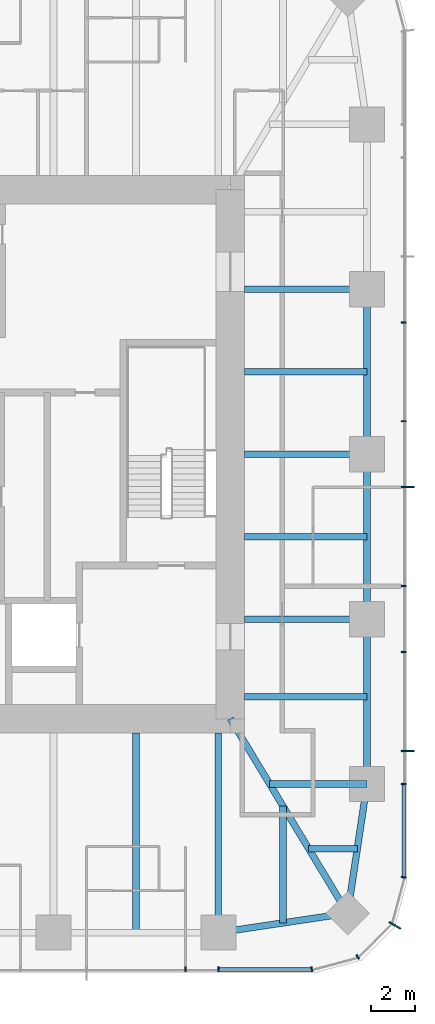
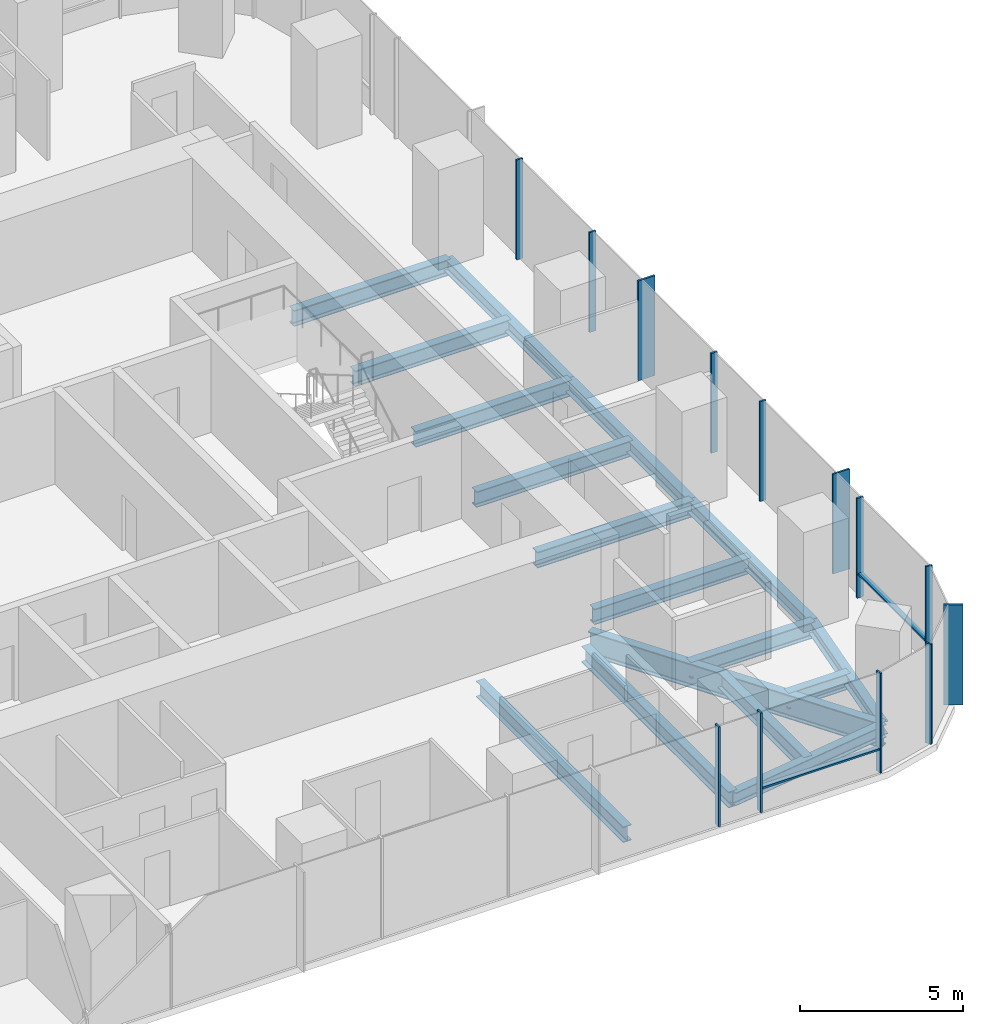
# One storey, part 4 of 12: 17 beams, 15 members, 3 elements without a shape of their own.
"""IFC4 building model written with IfcOpenShell, lengths in metres."""

from ifc_helpers import new_model, si_unit, direction, frame, origin, origin_2d, place, context, subcontext, project, spatial, rectangle, i_section, extrude, material, material_profile, profile_set, type_object, element, aggregate, save


model = new_model("IFC4")

# Units and contexts
model_context = context("Model", 3, precision=1e-05, world=origin(), true_north=direction((0.0, 1.0)))
body_context = subcontext(model_context, "Body", "Model", "MODEL_VIEW")
ifc_project = project(units=[si_unit("LENGTHUNIT", "METRE"), si_unit("AREAUNIT", "SQUARE_METRE"), si_unit("VOLUMEUNIT", "CUBIC_METRE"), si_unit("PLANEANGLEUNIT", "RADIAN"), si_unit("MASSUNIT", "GRAM", prefix="KILO")], contexts=[model_context])

# Site, building, storey
site_placement = place(None, origin())
site = spatial("IfcSite", under=ifc_project, at=site_placement, CompositionType="ELEMENT")
building_placement = place(site_placement, origin())
building = spatial("IfcBuilding", under=site, at=building_placement, Name="Khuree Lantern Residences", CompositionType="ELEMENT")
storey_placement = place(building_placement, frame((0.0, 0.0, 315.75)))
storey = spatial("IfcBuildingStorey", under=building, at=storey_placement, Name="L79", CompositionType="ELEMENT", Elevation=315.75)

# Beams
ifc_material_1 = material(Name="Steel S355", Category="steel")
ifc_material_profile_1 = material_profile(ifc_material_1, i_section(OverallWidth=0.300048828125, OverallDepth=0.590087890625, WebThickness=0.012939453125, FlangeThickness=0.02490234375, FilletRadius=0.027099609375, at=origin_2d()), Name="HE 600 A")
ifc_profile_set_1 = profile_set([ifc_material_profile_1], Name="Steel S355")
beam_type_1 = type_object("IfcBeamType", Name="B-43 SECONDARY BEAM HE 600 A", PredefinedType="BEAM", material=ifc_profile_set_1)
for number, where, z_axis, x_axis, name in (
    (1, (21.699951171875, 3.739990234375, -0.544921875), (-1.0, 0.0, 0.0), (0.0, -1.0, 0.0), "Secondary beam E3"),
    (2, (21.699951171875, -3.739990234375, -0.544921875), (-1.0, 0.0, 0.0), (0.0, -1.0, 0.0), "Secondary beam E4"),
    (3, (21.699951171875, -11.0, -0.544921875), (-1.0, 0.0, 0.0), (0.0, -1.0, 0.0), "Secondary beam E5"),
):
    element("IfcBeam", number, at=place(storey_placement, frame(where, z_axis=z_axis, x_axis=x_axis)), inside=storey, type_object=beam_type_1, Name=name, PredefinedType="BEAM", context=body_context, shape_type="SweptSolid", body=[
        extrude(i_section(OverallWidth=0.300048828125, OverallDepth=0.590087890625, WebThickness=0.012939453125, FlangeThickness=0.02490234375, FilletRadius=0.027099609375, at=origin_2d()), origin(), (0.0, 0.0, 1.0), 5.550048828125),
    ])
beam_1_placement = place(storey_placement, frame((21.2607421875, -17.890625, -0.544921875), z_axis=(-1.0, 0.0, 0.0), x_axis=(0.0, -1.0, 0.0)))
element("IfcBeam", 4, at=beam_1_placement, inside=storey, type_object=beam_type_1, Name="Secondary beam E6", PredefinedType="BEAM", context=body_context, shape_type="SweptSolid", body=[
    extrude(i_section(OverallWidth=0.300048828125, OverallDepth=0.590087890625, WebThickness=0.012939453125, FlangeThickness=0.02490234375, FilletRadius=0.027099609375, at=origin_2d()), origin(), (0.0, 0.0, 1.0), 2.207275390625),
])
beam_2_placement = place(storey_placement, frame((17.890625, -21.2607421875, -0.544921875), z_axis=(0.0, 1.0, 0.0), x_axis=(-1.0, 0.0, 0.0)))
element("IfcBeam", 5, at=beam_2_placement, inside=storey, type_object=beam_type_1, Name="Secondary beam S1", PredefinedType="BEAM", context=body_context, shape_type="SweptSolid", body=[
    extrude(i_section(OverallWidth=0.300048828125, OverallDepth=0.590087890625, WebThickness=0.012939453125, FlangeThickness=0.02490234375, FilletRadius=0.027099609375, at=origin_2d()), origin(), (0.0, 0.0, 1.0), 5.297607421875),
])
beam_3_placement = place(storey_placement, frame((11.219970703125, -21.699951171875, -0.544921875), z_axis=(0.0, 1.0, 0.0), x_axis=(-1.0, 0.0, 0.0)))
element("IfcBeam", 6, at=beam_3_placement, inside=storey, type_object=beam_type_1, Name="Secondary beam S2", PredefinedType="BEAM", context=body_context, shape_type="SweptSolid", body=[
    extrude(i_section(OverallWidth=0.300048828125, OverallDepth=0.590087890625, WebThickness=0.012939453125, FlangeThickness=0.02490234375, FilletRadius=0.027099609375, at=origin_2d()), origin(), (0.0, 0.0, 1.0), 9.050048828125),
])
ifc_material_profile_2 = material_profile(ifc_material_1, i_section(OverallWidth=0.300048828125, OverallDepth=0.489990234375, WebThickness=0.011962890625, FlangeThickness=0.02294921875, FilletRadius=0.027099609375, at=origin_2d()), Name="HE 500 A")
ifc_profile_set_2 = profile_set([ifc_material_profile_2], Name="Steel S355")
beam_type_2 = type_object("IfcBeamType", Name="E-43 SPANDREL BEAM HE 500 A", PredefinedType="SPANDREL", material=ifc_profile_set_2)
for number, where, z_axis, x_axis, name in (
    (7, (21.699951171875, 7.47998046875, -0.4951171875), (0.0, -1.0, 0.0), (1.0, 0.0, 0.0), "Spandrel beam E3"),
    (8, (21.699951171875, 0.0, -0.4951171875), (0.0, -1.0, 0.0), (1.0, 0.0, 0.0), "Spandrel beam E4"),
    (9, (21.699951171875, -7.47998046875, -0.4951171875), (0.0, -1.0, 0.0), (1.0, 0.0, 0.0), "Spandrel beam E5"),
):
    element("IfcBeam", number, at=place(storey_placement, frame(where, z_axis=z_axis, x_axis=x_axis)), inside=storey, type_object=beam_type_2, Name=name, PredefinedType="SPANDREL", context=body_context, shape_type="SweptSolid", body=[
        extrude(i_section(OverallWidth=0.300048828125, OverallDepth=0.489990234375, WebThickness=0.011962890625, FlangeThickness=0.02294921875, FilletRadius=0.027099609375, at=origin_2d()), origin(), (0.0, 0.0, 1.0), 7.47998046875),
    ])
for number, where, z_axis, x_axis, name in (
    (10, (21.699951171875, -14.9599609375, -0.4951171875), (-0.148251822985, -0.988949643299, 0.0), (0.988949643299, -0.148251822985, 0.0), "Spandrel beam E6"),
    (11, (20.8212890625, -20.8212890625, -0.4951171875), (-0.988949643299, -0.148251822985, 0.0), (0.148251822985, -0.988949643299, 0.0), "Spandrel beam S1"),
):
    element("IfcBeam", number, at=place(storey_placement, frame(where, z_axis=z_axis, x_axis=x_axis)), inside=storey, type_object=beam_type_2, Name=name, PredefinedType="SPANDREL", context=body_context, shape_type="SweptSolid", body=[
        extrude(i_section(OverallWidth=0.300048828125, OverallDepth=0.489990234375, WebThickness=0.011962890625, FlangeThickness=0.02294921875, FilletRadius=0.027099609375, at=origin_2d()), origin(), (0.0, 0.0, 1.0), 5.9267578125),
    ])

# Curtain wall, member
ifc_material_2 = material(Name="Bronze anodised aluminium", Category="aluminium")
curtain_wall_type_1 = type_object("IfcCurtainWallType", Name="CW-T2 TOWER CORNER CURTAIN WALL", PredefinedType="USERDEFINED", material=ifc_material_2)
curtain_wall_1_placement = place(storey_placement, origin())
curtain_wall_1 = element("IfcCurtainWall", 12, at=curtain_wall_1_placement, inside=storey, type_object=curtain_wall_type_1, Name="L79 SOUTH-EAST CORNER CURTAIN WALL", ObjectType="Faceted corner curtain wall", PredefinedType="USERDEFINED")
ifc_material_profile_3 = material_profile(ifc_material_2, rectangle(XDim=0.06494140625, YDim=0.60009765625, at=origin_2d()), Name="F1 65X600")
ifc_profile_set_3 = profile_set([ifc_material_profile_3], Name="Bronze anodised aluminium")
member_type_1 = type_object("IfcMemberType", Name="F1 BRONZE FIN MULLION TOWER 65X600", PredefinedType="MULLION", material=ifc_profile_set_3)
member_1_placement = place(storey_placement, frame((22.96728515625, -21.375, 0.0), z_axis=(0.0, 0.0, 1.0), x_axis=(0.49999994149, 0.866025437565, 0.0)))
member_1 = element("IfcMember", 13, at=member_1_placement, type_object=member_type_1, Name="L79 SOUTH-EAST CORNER FIN MULLION 3", PredefinedType="MULLION", context=body_context, shape_type="SweptSolid", body=[
    extrude(rectangle(XDim=0.06494140625, YDim=0.60009765625, at=origin_2d()), origin(), (0.0, 0.0, 1.0), 3.75),
])

# Curtain wall, members
curtain_wall_type_2 = type_object("IfcCurtainWallType", Name="CW-T1 TOWER FACE CURTAIN WALL", PredefinedType="USERDEFINED", material=ifc_material_2)
curtain_wall_2_placement = place(storey_placement, origin())
curtain_wall_2 = element("IfcCurtainWall", 14, at=curtain_wall_2_placement, inside=storey, type_object=curtain_wall_type_2, Name="L79 EAST FACE CURTAIN WALL", ObjectType="Stick-built curtain wall", PredefinedType="USERDEFINED")
member_2_placement = place(storey_placement, frame((23.550048828125, -13.464111328125, 0.0), z_axis=(0.0, 0.0, 1.0), x_axis=(0.0, 1.0, 0.0)))
member_2 = element("IfcMember", 15, at=member_2_placement, type_object=member_type_1, Name="L79 EAST FACE FIN MULLION 6", PredefinedType="MULLION", context=body_context, shape_type="SweptSolid", body=[
    extrude(rectangle(XDim=0.06494140625, YDim=0.60009765625, at=origin_2d()), origin(), (0.0, 0.0, 1.0), 3.75),
])
member_3_placement = place(storey_placement, frame((23.550048828125, -1.49609375, 0.0), z_axis=(0.0, 0.0, 1.0), x_axis=(0.0, 1.0, 0.0)))
member_3 = element("IfcMember", 16, at=member_3_placement, type_object=member_type_1, Name="L79 EAST FACE FIN MULLION 9", PredefinedType="MULLION", context=body_context, shape_type="SweptSolid", body=[
    extrude(rectangle(XDim=0.06494140625, YDim=0.60009765625, at=origin_2d()), origin(), (0.0, 0.0, 1.0), 3.75),
])

# Beams
ifc_material_profile_4 = material_profile(ifc_material_1, i_section(OverallWidth=0.300048828125, OverallDepth=0.60009765625, WebThickness=0.015380859375, FlangeThickness=0.030029296875, FilletRadius=0.027099609375, at=origin_2d()), Name="HE 600 B")
ifc_profile_set_4 = profile_set([ifc_material_profile_4], Name="Steel S355")
beam_type_3 = type_object("IfcBeamType", Name="G-43 GIRDER HE 600 B", PredefinedType="BEAM", material=ifc_profile_set_4)
for number, where, z_axis, x_axis, name in (
    (17, (21.699951171875, 7.47998046875, -0.550048828125), (-1.0, 0.0, 0.0), (0.0, -1.0, 0.0), "Girder E2"),
    (18, (21.699951171875, 0.0, -0.550048828125), (-1.0, 0.0, 0.0), (0.0, -1.0, 0.0), "Girder E3"),
    (19, (21.699951171875, -7.47998046875, -0.550048828125), (-1.0, 0.0, 0.0), (0.0, -1.0, 0.0), "Girder E4"),
):
    element("IfcBeam", number, at=place(storey_placement, frame(where, z_axis=z_axis, x_axis=x_axis)), inside=storey, type_object=beam_type_3, Name=name, PredefinedType="BEAM", context=body_context, shape_type="SweptSolid", body=[
        extrude(i_section(OverallWidth=0.300048828125, OverallDepth=0.60009765625, WebThickness=0.015380859375, FlangeThickness=0.030029296875, FilletRadius=0.027099609375, at=origin_2d()), origin(), (0.0, 0.0, 1.0), 5.550048828125),
    ])
beam_4_placement = place(storey_placement, frame((21.699951171875, -14.9599609375, -0.550048828125), z_axis=(-1.0, 0.0, 0.0), x_axis=(0.0, -1.0, 0.0)))
element("IfcBeam", 20, at=beam_4_placement, inside=storey, type_object=beam_type_3, Name="Girder E5", PredefinedType="BEAM", context=body_context, shape_type="SweptSolid", body=[
    extrude(i_section(OverallWidth=0.300048828125, OverallDepth=0.60009765625, WebThickness=0.015380859375, FlangeThickness=0.030029296875, FilletRadius=0.027099609375, at=origin_2d()), origin(), (0.0, 0.0, 1.0), 4.414306640625),
])
beam_5_placement = place(storey_placement, frame((14.9599609375, -21.699951171875, -0.550048828125), z_axis=(0.0, 1.0, 0.0), x_axis=(-1.0, 0.0, 0.0)))
element("IfcBeam", 21, at=beam_5_placement, inside=storey, type_object=beam_type_3, Name="Girder S1", PredefinedType="BEAM", context=body_context, shape_type="SweptSolid", body=[
    extrude(i_section(OverallWidth=0.300048828125, OverallDepth=0.60009765625, WebThickness=0.015380859375, FlangeThickness=0.030029296875, FilletRadius=0.027099609375, at=origin_2d()), origin(), (0.0, 0.0, 1.0), 9.050048828125),
])
ifc_material_profile_5 = material_profile(ifc_material_1, i_section(OverallWidth=0.300048828125, OverallDepth=0.89990234375, WebThickness=0.0185546875, FlangeThickness=0.034912109375, FilletRadius=0.030029296875, at=origin_2d()), Name="HE 900 B")
ifc_profile_set_5 = profile_set([ifc_material_profile_5], Name="Steel S355")
beam_type_4 = type_object("IfcBeamType", Name="GD-43 CORNER GIRDER HE 900 B", PredefinedType="BEAM", material=ifc_profile_set_5)
beam_6_placement = place(storey_placement, frame((20.8212890625, -20.8212890625, -0.699951171875), z_axis=(-0.516529577604, 0.856269347495, 0.0), x_axis=(-0.856269347495, -0.516529577604, 0.0)))
element("IfcBeam", 22, at=beam_6_placement, inside=storey, type_object=beam_type_4, Name="Corner girder SE", PredefinedType="BEAM", context=body_context, shape_type="SweptSolid", body=[
    extrude(i_section(OverallWidth=0.300048828125, OverallDepth=0.89990234375, WebThickness=0.0185546875, FlangeThickness=0.034912109375, FilletRadius=0.030029296875, at=origin_2d()), origin(), (0.0, 0.0, 1.0), 10.302001953125),
])

# Member
ifc_material_profile_6 = material_profile(ifc_material_2, rectangle(XDim=0.06494140625, YDim=0.219970703125, at=origin_2d()), Name="M1 65X220")
ifc_profile_set_6 = profile_set([ifc_material_profile_6], Name="Bronze anodised aluminium")
member_type_2 = type_object("IfcMemberType", Name="M1 BRONZE MULLION TOWER 65X220", PredefinedType="MULLION", material=ifc_profile_set_6)
member_4_placement = place(storey_placement, frame((19.195068359375, -23.36181640625, 0.0), z_axis=(0.0, 0.0, 1.0), x_axis=(0.991444870192, 0.130526125236, 0.0)))
member_4 = element("IfcMember", 23, at=member_4_placement, type_object=member_type_2, Name="L79 SOUTH-EAST CORNER MULLION 1", PredefinedType="MULLION", context=body_context, shape_type="SweptSolid", body=[
    extrude(rectangle(XDim=0.06494140625, YDim=0.219970703125, at=origin_2d()), origin(), (0.0, 0.0, 1.0), 3.75),
])

member_5_placement = place(storey_placement, frame((21.280029296875, -22.802734375, 0.0), z_axis=(0.0, 0.0, 1.0), x_axis=(0.866025437565, 0.49999994149, 0.0)))
member_5 = element("IfcMember", 24, at=member_5_placement, type_object=member_type_2, Name="L79 SOUTH-EAST CORNER MULLION 2", PredefinedType="MULLION", context=body_context, shape_type="SweptSolid", body=[
    extrude(rectangle(XDim=0.06494140625, YDim=0.219970703125, at=origin_2d()), origin(), (0.0, 0.0, 1.0), 3.75),
])

aggregate(curtain_wall_1, [member_4, member_5, member_1])

member_6_placement = place(storey_placement, frame((23.36181640625, -19.195068359375, 0.0), z_axis=(0.0, 0.0, 1.0), x_axis=(0.130526125236, 0.991444870192, 0.0)))
member_6 = element("IfcMember", 25, at=member_6_placement, type_object=member_type_2, Name="L79 EAST FACE MULLION 4", PredefinedType="MULLION", context=body_context, shape_type="SweptSolid", body=[
    extrude(rectangle(XDim=0.06494140625, YDim=0.219970703125, at=origin_2d()), origin(), (0.0, 0.0, 1.0), 3.75),
])

member_7_placement = place(storey_placement, frame((23.360107421875, -14.9599609375, 0.0), z_axis=(0.0, 0.0, 1.0), x_axis=(0.0, 1.0, 0.0)))
member_7 = element("IfcMember", 26, at=member_7_placement, type_object=member_type_2, Name="L79 EAST FACE MULLION 5", PredefinedType="MULLION", context=body_context, shape_type="SweptSolid", body=[
    extrude(rectangle(XDim=0.06494140625, YDim=0.219970703125, at=origin_2d()), origin(), (0.0, 0.0, 1.0), 3.75),
])

member_8_placement = place(storey_placement, frame((23.360107421875, -8.97607421875, 0.0), z_axis=(0.0, 0.0, 1.0), x_axis=(0.0, 1.0, 0.0)))
member_8 = element("IfcMember", 27, at=member_8_placement, type_object=member_type_2, Name="L79 EAST FACE MULLION 7", PredefinedType="MULLION", context=body_context, shape_type="SweptSolid", body=[
    extrude(rectangle(XDim=0.06494140625, YDim=0.219970703125, at=origin_2d()), origin(), (0.0, 0.0, 1.0), 3.75),
])

member_9_placement = place(storey_placement, frame((23.360107421875, -5.98388671875, 0.0), z_axis=(0.0, 0.0, 1.0), x_axis=(0.0, 1.0, 0.0)))
member_9 = element("IfcMember", 28, at=member_9_placement, type_object=member_type_2, Name="L79 EAST FACE MULLION 8", PredefinedType="MULLION", context=body_context, shape_type="SweptSolid", body=[
    extrude(rectangle(XDim=0.06494140625, YDim=0.219970703125, at=origin_2d()), origin(), (0.0, 0.0, 1.0), 3.75),
])

member_10_placement = place(storey_placement, frame((23.360107421875, 1.49609375, 0.0), z_axis=(0.0, 0.0, 1.0), x_axis=(0.0, 1.0, 0.0)))
member_10 = element("IfcMember", 29, at=member_10_placement, type_object=member_type_2, Name="L79 EAST FACE MULLION 10", PredefinedType="MULLION", context=body_context, shape_type="SweptSolid", body=[
    extrude(rectangle(XDim=0.06494140625, YDim=0.219970703125, at=origin_2d()), origin(), (0.0, 0.0, 1.0), 3.75),
])

member_11_placement = place(storey_placement, frame((23.360107421875, 5.98388671875, 0.0), z_axis=(0.0, 0.0, 1.0), x_axis=(0.0, 1.0, 0.0)))
member_11 = element("IfcMember", 30, at=member_11_placement, type_object=member_type_2, Name="L79 EAST FACE MULLION 11", PredefinedType="MULLION", context=body_context, shape_type="SweptSolid", body=[
    extrude(rectangle(XDim=0.06494140625, YDim=0.219970703125, at=origin_2d()), origin(), (0.0, 0.0, 1.0), 3.75),
])

# Curtain wall, members
curtain_wall_3_placement = place(storey_placement, origin())
curtain_wall_3 = element("IfcCurtainWall", 31, at=curtain_wall_3_placement, inside=storey, type_object=curtain_wall_type_2, Name="L79 SOUTH FACE CURTAIN WALL", ObjectType="Stick-built curtain wall", PredefinedType="USERDEFINED")
member_12_placement = place(storey_placement, frame((13.464111328125, -23.360107421875, 0.0), z_axis=(0.0, 0.0, 1.0), x_axis=(1.0, 0.0, 0.0)))
member_12 = element("IfcMember", 32, at=member_12_placement, type_object=member_type_2, Name="L79 SOUTH FACE MULLION 55", PredefinedType="MULLION", context=body_context, shape_type="SweptSolid", body=[
    extrude(rectangle(XDim=0.06494140625, YDim=0.219970703125, at=origin_2d()), origin(), (0.0, 0.0, 1.0), 3.75),
])
member_13_placement = place(storey_placement, frame((14.9599609375, -23.360107421875, 0.0), z_axis=(0.0, 0.0, 1.0), x_axis=(1.0, 0.0, 0.0)))
member_13 = element("IfcMember", 33, at=member_13_placement, type_object=member_type_2, Name="L79 SOUTH FACE MULLION 56", PredefinedType="MULLION", context=body_context, shape_type="SweptSolid", body=[
    extrude(rectangle(XDim=0.06494140625, YDim=0.219970703125, at=origin_2d()), origin(), (0.0, 0.0, 1.0), 3.75),
])

# Member
ifc_material_profile_7 = material_profile(ifc_material_2, rectangle(XDim=0.179931640625, YDim=0.06494140625, at=origin_2d()), Name="T1 180X65")
ifc_profile_set_7 = profile_set([ifc_material_profile_7], Name="Bronze anodised aluminium")
member_type_3 = type_object("IfcMemberType", Name="TRANSOM T1 TOWER 180X65", PredefinedType="USERDEFINED", material=ifc_profile_set_7)
member_14_placement = place(storey_placement, frame((23.3701171875, -19.1513671875, 0.89990234375), z_axis=(0.0, 1.0, 0.0), x_axis=(-1.0, 0.0, 0.0)))
member_14 = element("IfcMember", 34, at=member_14_placement, type_object=member_type_3, Name="L79 EAST FACE TRANSOM 4.1", ObjectType="Transom", PredefinedType="USERDEFINED", context=body_context, shape_type="SweptSolid", body=[
    extrude(rectangle(XDim=0.179931640625, YDim=0.06494140625, at=origin_2d()), origin(), (0.0, 0.0, 1.0), 4.158935546875),
])

aggregate(curtain_wall_2, [member_6, member_7, member_2, member_8, member_9, member_3, member_10, member_11, member_14])

member_15_placement = place(storey_placement, frame((14.992431640625, -23.3701171875, 0.89990234375), z_axis=(1.0, 0.0, 0.0), x_axis=(0.0, 1.0, 0.0)))
member_15 = element("IfcMember", 35, at=member_15_placement, type_object=member_type_3, Name="L79 SOUTH FACE TRANSOM 56.1", ObjectType="Transom", PredefinedType="USERDEFINED", context=body_context, shape_type="SweptSolid", body=[
    extrude(rectangle(XDim=0.179931640625, YDim=0.06494140625, at=origin_2d()), origin(), (0.0, 0.0, 1.0), 4.158935546875),
])

aggregate(curtain_wall_3, [member_12, member_13, member_15])

save(model, "model.ifc")
